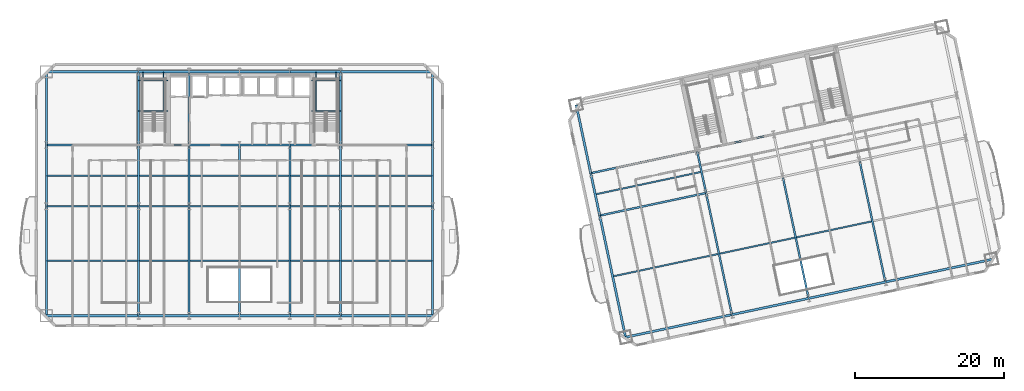
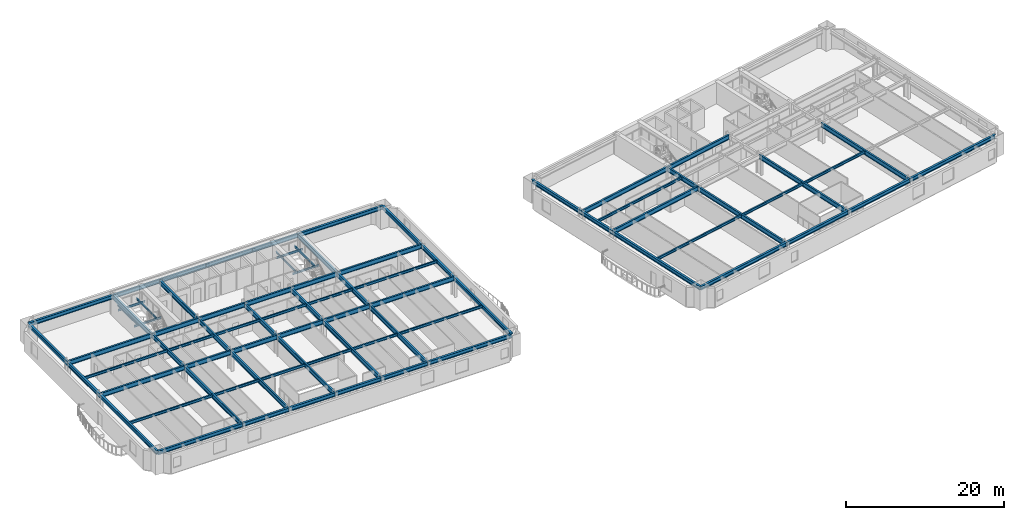
# One storey, part 3 of 17: 81 beams.
"""IFC4 building model written with IfcOpenShell, lengths in metres."""

from ifc_helpers import new_model, si_unit, direction, frame, origin, origin_2d, place, context, subcontext, project, spatial, i_section, extrude, material, material_profile, profile_set, type_object, element, save


model = new_model("IFC4")

# Units and contexts
model_context = context("Model", 3, precision=1e-05, world=origin(), true_north=direction((0.0, 1.0)))
body_context = subcontext(model_context, "Body", "Model", "MODEL_VIEW")
ifc_project = project(units=[si_unit("LENGTHUNIT", "METRE"), si_unit("AREAUNIT", "SQUARE_METRE"), si_unit("VOLUMEUNIT", "CUBIC_METRE"), si_unit("PLANEANGLEUNIT", "RADIAN"), si_unit("MASSUNIT", "GRAM", prefix="KILO")], contexts=[model_context])

# Site, building, storey
site_placement = place(None, origin())
site = spatial("IfcSite", under=ifc_project, at=site_placement, CompositionType="ELEMENT")
building_placement = place(site_placement, origin())
building = spatial("IfcBuilding", under=site, at=building_placement, Name="Haevon Station Towers", CompositionType="ELEMENT")
storey_placement = place(building_placement, frame((0.0, 0.0, 37.199951171875)))
storey = spatial("IfcBuildingStorey", under=building, at=storey_placement, Name="L08", CompositionType="ELEMENT", Elevation=37.199951171875)

# Beams
ifc_material = material(Name="Steel S355", Category="steel")
ifc_material_profile_1 = material_profile(ifc_material, i_section(OverallWidth=0.25, OverallDepth=0.699951171875, WebThickness=0.012939453125, FlangeThickness=0.02392578125, at=origin_2d()), Name="H-700x250x13x24")
ifc_profile_set_1 = profile_set([ifc_material_profile_1], Name="Steel S355")
beam_type_1 = type_object("IfcBeamType", Name="BM-G700", PredefinedType="BEAM", material=ifc_profile_set_1)
beam_1_placement = place(storey_placement, frame((11.64990234375, 30.0, 2.699951171875), z_axis=(1.0, 0.0, 0.0), x_axis=(0.0, 1.0, 0.0)))
element("IfcBeam", 1, at=beam_1_placement, inside=storey, type_object=beam_type_1, Name="BM-T1U-L08-02-01", PredefinedType="BEAM", context=body_context, shape_type="SweptSolid", body=[
    extrude(i_section(OverallWidth=0.25, OverallDepth=0.699951171875, WebThickness=0.012939453125, FlangeThickness=0.02392578125, at=origin_2d()), origin(), (0.0, 0.0, 1.0), 12.35009765625),
])
for number, where, z_axis, x_axis, name in (
    (2, (24.0, 30.0, 2.699951171875), (1.0, 0.0, 0.0), (0.0, 1.0, 0.0), "BM-T1U-L08-02-02"),
    (3, (30.75, 30.0, 2.699951171875), (1.0, 0.0, 0.0), (0.0, 1.0, 0.0), "BM-T1U-L08-02-03"),
    (4, (37.5, 30.0, 2.699951171875), (1.0, 0.0, 0.0), (0.0, 1.0, 0.0), "BM-T1U-L08-02-04"),
    (5, (44.25, 30.0, 2.699951171875), (1.0, 0.0, 0.0), (0.0, 1.0, 0.0), "BM-T1U-L08-02-05"),
):
    element("IfcBeam", number, at=place(storey_placement, frame(where, z_axis=z_axis, x_axis=x_axis)), inside=storey, type_object=beam_type_1, Name=name, PredefinedType="BEAM", context=body_context, shape_type="SweptSolid", body=[
        extrude(i_section(OverallWidth=0.25, OverallDepth=0.699951171875, WebThickness=0.012939453125, FlangeThickness=0.02392578125, at=origin_2d()), origin(), (0.0, 0.0, 1.0), 6.75),
    ])
for number, where, z_axis, x_axis, name in (
    (6, (51.0, 30.0, 2.699951171875), (1.0, 0.0, 0.0), (0.0, 1.0, 0.0), "BM-T1U-L08-02-06"),
    (7, (11.64990234375, 38.199951171875, 2.699951171875), (1.0, 0.0, 0.0), (0.0, 1.0, 0.0), "BM-T1U-L08-03-01"),
):
    element("IfcBeam", number, at=place(storey_placement, frame(where, z_axis=z_axis, x_axis=x_axis)), inside=storey, type_object=beam_type_1, Name=name, PredefinedType="BEAM", context=body_context, shape_type="SweptSolid", body=[
        extrude(i_section(OverallWidth=0.25, OverallDepth=0.699951171875, WebThickness=0.012939453125, FlangeThickness=0.02392578125, at=origin_2d()), origin(), (0.0, 0.0, 1.0), 12.35009765625),
    ])
for number, where, z_axis, x_axis, name in (
    (8, (24.0, 38.199951171875, 2.699951171875), (1.0, 0.0, 0.0), (0.0, 1.0, 0.0), "BM-T1U-L08-03-02"),
    (9, (30.75, 38.199951171875, 2.699951171875), (1.0, 0.0, 0.0), (0.0, 1.0, 0.0), "BM-T1U-L08-03-03"),
    (10, (37.5, 38.199951171875, 2.699951171875), (1.0, 0.0, 0.0), (0.0, 1.0, 0.0), "BM-T1U-L08-03-04"),
    (11, (44.25, 38.199951171875, 2.699951171875), (1.0, 0.0, 0.0), (0.0, 1.0, 0.0), "BM-T1U-L08-03-05"),
):
    element("IfcBeam", number, at=place(storey_placement, frame(where, z_axis=z_axis, x_axis=x_axis)), inside=storey, type_object=beam_type_1, Name=name, PredefinedType="BEAM", context=body_context, shape_type="SweptSolid", body=[
        extrude(i_section(OverallWidth=0.25, OverallDepth=0.699951171875, WebThickness=0.012939453125, FlangeThickness=0.02392578125, at=origin_2d()), origin(), (0.0, 0.0, 1.0), 6.75),
    ])
beam_2_placement = place(storey_placement, frame((51.0, 38.199951171875, 2.699951171875), z_axis=(1.0, 0.0, 0.0), x_axis=(0.0, 1.0, 0.0)))
element("IfcBeam", 12, at=beam_2_placement, inside=storey, type_object=beam_type_1, Name="BM-T1U-L08-03-06", PredefinedType="BEAM", context=body_context, shape_type="SweptSolid", body=[
    extrude(i_section(OverallWidth=0.25, OverallDepth=0.699951171875, WebThickness=0.012939453125, FlangeThickness=0.02392578125, at=origin_2d()), origin(), (0.0, 0.0, 1.0), 12.35009765625),
])
beam_3_placement = place(storey_placement, frame((24.0, 15.35009765625, 2.699951171875), z_axis=(0.0, 1.0, 0.0), x_axis=(-1.0, 0.0, 0.0)))
element("IfcBeam", 13, at=beam_3_placement, inside=storey, type_object=beam_type_1, Name="BM-T1V-L08-02-01", PredefinedType="BEAM", context=body_context, shape_type="SweptSolid", body=[
    extrude(i_section(OverallWidth=0.25, OverallDepth=0.699951171875, WebThickness=0.012939453125, FlangeThickness=0.02392578125, at=origin_2d()), origin(), (0.0, 0.0, 1.0), 14.64990234375),
])
beam_4_placement = place(storey_placement, frame((24.0, 30.0, 2.699951171875), z_axis=(0.0, 1.0, 0.0), x_axis=(-1.0, 0.0, 0.0)))
element("IfcBeam", 14, at=beam_4_placement, inside=storey, type_object=beam_type_1, Name="BM-T1V-L08-02-02", PredefinedType="BEAM", context=body_context, shape_type="SweptSolid", body=[
    extrude(i_section(OverallWidth=0.25, OverallDepth=0.699951171875, WebThickness=0.012939453125, FlangeThickness=0.02392578125, at=origin_2d()), origin(), (0.0, 0.0, 1.0), 8.199951171875),
])
beam_5_placement = place(storey_placement, frame((24.0, 38.199951171875, 2.699951171875), z_axis=(0.0, 1.0, 0.0), x_axis=(-1.0, 0.0, 0.0)))
element("IfcBeam", 15, at=beam_5_placement, inside=storey, type_object=beam_type_1, Name="BM-T1V-L08-02-03", PredefinedType="BEAM", context=body_context, shape_type="SweptSolid", body=[
    extrude(i_section(OverallWidth=0.25, OverallDepth=0.699951171875, WebThickness=0.012939453125, FlangeThickness=0.02392578125, at=origin_2d()), origin(), (0.0, 0.0, 1.0), 9.800048828125),
])
beam_6_placement = place(storey_placement, frame((30.75, 15.35009765625, 2.699951171875), z_axis=(0.0, 1.0, 0.0), x_axis=(-1.0, 0.0, 0.0)))
element("IfcBeam", 16, at=beam_6_placement, inside=storey, type_object=beam_type_1, Name="BM-T1V-L08-03-01", PredefinedType="BEAM", context=body_context, shape_type="SweptSolid", body=[
    extrude(i_section(OverallWidth=0.25, OverallDepth=0.699951171875, WebThickness=0.012939453125, FlangeThickness=0.02392578125, at=origin_2d()), origin(), (0.0, 0.0, 1.0), 14.64990234375),
])
beam_7_placement = place(storey_placement, frame((30.75, 30.0, 2.699951171875), z_axis=(0.0, 1.0, 0.0), x_axis=(-1.0, 0.0, 0.0)))
element("IfcBeam", 17, at=beam_7_placement, inside=storey, type_object=beam_type_1, Name="BM-T1V-L08-03-02", PredefinedType="BEAM", context=body_context, shape_type="SweptSolid", body=[
    extrude(i_section(OverallWidth=0.25, OverallDepth=0.699951171875, WebThickness=0.012939453125, FlangeThickness=0.02392578125, at=origin_2d()), origin(), (0.0, 0.0, 1.0), 8.199951171875),
])
beam_8_placement = place(storey_placement, frame((30.75, 38.199951171875, 2.699951171875), z_axis=(0.0, 1.0, 0.0), x_axis=(-1.0, 0.0, 0.0)))
element("IfcBeam", 18, at=beam_8_placement, inside=storey, type_object=beam_type_1, Name="BM-T1V-L08-03-03", PredefinedType="BEAM", context=body_context, shape_type="SweptSolid", body=[
    extrude(i_section(OverallWidth=0.25, OverallDepth=0.699951171875, WebThickness=0.012939453125, FlangeThickness=0.02392578125, at=origin_2d()), origin(), (0.0, 0.0, 1.0), 9.800048828125),
])
beam_9_placement = place(storey_placement, frame((37.5, 15.35009765625, 2.699951171875), z_axis=(0.0, 1.0, 0.0), x_axis=(-1.0, 0.0, 0.0)))
element("IfcBeam", 19, at=beam_9_placement, inside=storey, type_object=beam_type_1, Name="BM-T1V-L08-04-01", PredefinedType="BEAM", context=body_context, shape_type="SweptSolid", body=[
    extrude(i_section(OverallWidth=0.25, OverallDepth=0.699951171875, WebThickness=0.012939453125, FlangeThickness=0.02392578125, at=origin_2d()), origin(), (0.0, 0.0, 1.0), 14.64990234375),
])
beam_10_placement = place(storey_placement, frame((37.5, 30.0, 2.699951171875), z_axis=(0.0, 1.0, 0.0), x_axis=(-1.0, 0.0, 0.0)))
element("IfcBeam", 20, at=beam_10_placement, inside=storey, type_object=beam_type_1, Name="BM-T1V-L08-04-02", PredefinedType="BEAM", context=body_context, shape_type="SweptSolid", body=[
    extrude(i_section(OverallWidth=0.25, OverallDepth=0.699951171875, WebThickness=0.012939453125, FlangeThickness=0.02392578125, at=origin_2d()), origin(), (0.0, 0.0, 1.0), 8.199951171875),
])
beam_11_placement = place(storey_placement, frame((44.25, 15.35009765625, 2.699951171875), z_axis=(0.0, 1.0, 0.0), x_axis=(-1.0, 0.0, 0.0)))
element("IfcBeam", 21, at=beam_11_placement, inside=storey, type_object=beam_type_1, Name="BM-T1V-L08-05-01", PredefinedType="BEAM", context=body_context, shape_type="SweptSolid", body=[
    extrude(i_section(OverallWidth=0.25, OverallDepth=0.699951171875, WebThickness=0.012939453125, FlangeThickness=0.02392578125, at=origin_2d()), origin(), (0.0, 0.0, 1.0), 14.64990234375),
])
beam_12_placement = place(storey_placement, frame((44.25, 30.0, 2.699951171875), z_axis=(0.0, 1.0, 0.0), x_axis=(-1.0, 0.0, 0.0)))
element("IfcBeam", 22, at=beam_12_placement, inside=storey, type_object=beam_type_1, Name="BM-T1V-L08-05-02", PredefinedType="BEAM", context=body_context, shape_type="SweptSolid", body=[
    extrude(i_section(OverallWidth=0.25, OverallDepth=0.699951171875, WebThickness=0.012939453125, FlangeThickness=0.02392578125, at=origin_2d()), origin(), (0.0, 0.0, 1.0), 8.199951171875),
])
beam_13_placement = place(storey_placement, frame((51.0, 15.35009765625, 2.699951171875), z_axis=(0.0, 1.0, 0.0), x_axis=(-1.0, 0.0, 0.0)))
element("IfcBeam", 23, at=beam_13_placement, inside=storey, type_object=beam_type_1, Name="BM-T1V-L08-06-01", PredefinedType="BEAM", context=body_context, shape_type="SweptSolid", body=[
    extrude(i_section(OverallWidth=0.25, OverallDepth=0.699951171875, WebThickness=0.012939453125, FlangeThickness=0.02392578125, at=origin_2d()), origin(), (0.0, 0.0, 1.0), 14.64990234375),
])
beam_14_placement = place(storey_placement, frame((51.0, 30.0, 2.699951171875), z_axis=(0.0, 1.0, 0.0), x_axis=(-1.0, 0.0, 0.0)))
element("IfcBeam", 24, at=beam_14_placement, inside=storey, type_object=beam_type_1, Name="BM-T1V-L08-06-02", PredefinedType="BEAM", context=body_context, shape_type="SweptSolid", body=[
    extrude(i_section(OverallWidth=0.25, OverallDepth=0.699951171875, WebThickness=0.012939453125, FlangeThickness=0.02392578125, at=origin_2d()), origin(), (0.0, 0.0, 1.0), 8.199951171875),
])
beam_15_placement = place(storey_placement, frame((51.0, 38.199951171875, 2.699951171875), z_axis=(0.0, 1.0, 0.0), x_axis=(-1.0, 0.0, 0.0)))
element("IfcBeam", 25, at=beam_15_placement, inside=storey, type_object=beam_type_1, Name="BM-T1V-L08-06-03", PredefinedType="BEAM", context=body_context, shape_type="SweptSolid", body=[
    extrude(i_section(OverallWidth=0.25, OverallDepth=0.699951171875, WebThickness=0.012939453125, FlangeThickness=0.02392578125, at=origin_2d()), origin(), (0.0, 0.0, 1.0), 9.800048828125),
])
for number, where, z_axis, x_axis, name in (
    (26, (85.72607421875, 28.744140625, 2.699951171875), (0.978150960994, 0.207895881409, 0.0), (-0.207895881409, 0.978150960994, 0.0), "BM-T2U-L08-02-01"),
    (27, (84.520263671875, 34.417236328125, 2.699951171875), (0.978147548738, 0.207911935439, 0.0), (-0.207911935439, 0.978147548738, 0.0), "BM-T2U-L08-03-01"),
):
    element("IfcBeam", number, at=place(storey_placement, frame(where, z_axis=z_axis, x_axis=x_axis)), inside=storey, type_object=beam_type_1, Name=name, PredefinedType="BEAM", context=body_context, shape_type="SweptSolid", body=[
        extrude(i_section(OverallWidth=0.25, OverallDepth=0.699951171875, WebThickness=0.012939453125, FlangeThickness=0.02392578125, at=origin_2d()), origin(), (0.0, 0.0, 1.0), 14.550048828125),
    ])
beam_16_placement = place(storey_placement, frame((98.75244140625, 37.4423828125, 2.699951171875), z_axis=(0.978146794194, 0.207915485254, 0.0), x_axis=(-0.207915485254, 0.978146794194, 0.0)))
element("IfcBeam", 28, at=beam_16_placement, inside=storey, type_object=beam_type_1, Name="BM-T2U-L08-03-02", PredefinedType="BEAM", context=body_context, shape_type="SweptSolid", body=[
    extrude(i_section(OverallWidth=0.25, OverallDepth=0.699951171875, WebThickness=0.012939453125, FlangeThickness=0.02392578125, at=origin_2d()), origin(), (0.0, 0.0, 1.0), 10.5),
])
beam_17_placement = place(storey_placement, frame((103.419921875, 15.48291015625, 2.699951171875), z_axis=(-0.20790856066, 0.978148266064, 0.0), x_axis=(-0.978148266064, -0.20790856066, 0.0)))
element("IfcBeam", 29, at=beam_17_placement, inside=storey, type_object=beam_type_1, Name="BM-T2V-L08-02-01", PredefinedType="BEAM", context=body_context, shape_type="SweptSolid", body=[
    extrude(i_section(OverallWidth=0.25, OverallDepth=0.699951171875, WebThickness=0.012939453125, FlangeThickness=0.02392578125, at=origin_2d()), origin(), (0.0, 0.0, 1.0), 16.64990234375),
])
beam_18_placement = place(storey_placement, frame((99.958251953125, 31.76904296875, 2.699951171875), z_axis=(-0.207896009217, 0.97815093383, 0.0), x_axis=(-0.97815093383, -0.207896009217, 0.0)))
element("IfcBeam", 30, at=beam_18_placement, inside=storey, type_object=beam_type_1, Name="BM-T2V-L08-02-02", PredefinedType="BEAM", context=body_context, shape_type="SweptSolid", body=[
    extrude(i_section(OverallWidth=0.25, OverallDepth=0.699951171875, WebThickness=0.012939453125, FlangeThickness=0.02392578125, at=origin_2d()), origin(), (0.0, 0.0, 1.0), 5.800048828125),
])
for number, where, z_axis, x_axis, name in (
    (31, (113.6904296875, 17.666015625, 2.699951171875), (-0.20790856066, 0.978148266064, 0.0), (-0.978148266064, -0.20790856066, 0.0), "BM-T2V-L08-03-01"),
    (32, (123.961181640625, 19.84912109375, 2.699951171875), (-0.207922589901, 0.978145283999, 0.0), (-0.978145283999, -0.207922589901, 0.0), "BM-T2V-L08-04-01"),
):
    element("IfcBeam", number, at=place(storey_placement, frame(where, z_axis=z_axis, x_axis=x_axis)), inside=storey, type_object=beam_type_1, Name=name, PredefinedType="BEAM", context=body_context, shape_type="SweptSolid", body=[
        extrude(i_section(OverallWidth=0.25, OverallDepth=0.699951171875, WebThickness=0.012939453125, FlangeThickness=0.02392578125, at=origin_2d()), origin(), (0.0, 0.0, 1.0), 16.64990234375),
    ])
ifc_material_profile_2 = material_profile(ifc_material, i_section(OverallWidth=0.199951171875, OverallDepth=0.39990234375, WebThickness=0.008056640625, FlangeThickness=0.012939453125, at=origin_2d()), Name="H-400x200x8x13")
ifc_profile_set_2 = profile_set([ifc_material_profile_2], Name="Steel S355")
beam_type_2 = type_object("IfcBeamType", Name="BM-J400", PredefinedType="JOIST", material=ifc_profile_set_2)
beam_19_placement = place(storey_placement, frame((11.760009765625, 22.675048828125, 2.85009765625), z_axis=(1.0, 0.0, 0.0), x_axis=(0.0, 1.0, 0.0)))
element("IfcBeam", 33, at=beam_19_placement, inside=storey, type_object=beam_type_2, Name="BM-T1J-L08-01-01", PredefinedType="JOIST", context=body_context, shape_type="SweptSolid", body=[
    extrude(i_section(OverallWidth=0.199951171875, OverallDepth=0.39990234375, WebThickness=0.008056640625, FlangeThickness=0.012939453125, at=origin_2d()), origin(), (0.0, 0.0, 1.0), 12.1298828125),
])
for number, where, z_axis, x_axis, name in (
    (34, (24.110107421875, 22.675048828125, 2.85009765625), (1.0, 0.0, 0.0), (0.0, 1.0, 0.0), "BM-T1J-L08-01-02"),
    (35, (30.860107421875, 22.675048828125, 2.85009765625), (1.0, 0.0, 0.0), (0.0, 1.0, 0.0), "BM-T1J-L08-01-03"),
    (36, (37.610107421875, 22.675048828125, 2.85009765625), (1.0, 0.0, 0.0), (0.0, 1.0, 0.0), "BM-T1J-L08-01-04"),
    (37, (44.360107421875, 22.675048828125, 2.85009765625), (1.0, 0.0, 0.0), (0.0, 1.0, 0.0), "BM-T1J-L08-01-05"),
):
    element("IfcBeam", number, at=place(storey_placement, frame(where, z_axis=z_axis, x_axis=x_axis)), inside=storey, type_object=beam_type_2, Name=name, PredefinedType="JOIST", context=body_context, shape_type="SweptSolid", body=[
        extrude(i_section(OverallWidth=0.199951171875, OverallDepth=0.39990234375, WebThickness=0.008056640625, FlangeThickness=0.012939453125, at=origin_2d()), origin(), (0.0, 0.0, 1.0), 6.52978515625),
    ])
for number, where, z_axis, x_axis, name in (
    (38, (51.110107421875, 22.675048828125, 2.85009765625), (1.0, 0.0, 0.0), (0.0, 1.0, 0.0), "BM-T1J-L08-01-06"),
    (39, (11.760009765625, 34.10009765625, 2.85009765625), (1.0, 0.0, 0.0), (0.0, 1.0, 0.0), "BM-T1J-L08-02-01"),
):
    element("IfcBeam", number, at=place(storey_placement, frame(where, z_axis=z_axis, x_axis=x_axis)), inside=storey, type_object=beam_type_2, Name=name, PredefinedType="JOIST", context=body_context, shape_type="SweptSolid", body=[
        extrude(i_section(OverallWidth=0.199951171875, OverallDepth=0.39990234375, WebThickness=0.008056640625, FlangeThickness=0.012939453125, at=origin_2d()), origin(), (0.0, 0.0, 1.0), 12.1298828125),
    ])
for number, where, z_axis, x_axis, name in (
    (40, (24.110107421875, 34.10009765625, 2.85009765625), (1.0, 0.0, 0.0), (0.0, 1.0, 0.0), "BM-T1J-L08-02-02"),
    (41, (30.860107421875, 34.10009765625, 2.85009765625), (1.0, 0.0, 0.0), (0.0, 1.0, 0.0), "BM-T1J-L08-02-03"),
    (42, (37.610107421875, 34.10009765625, 2.85009765625), (1.0, 0.0, 0.0), (0.0, 1.0, 0.0), "BM-T1J-L08-02-04"),
    (43, (44.360107421875, 34.10009765625, 2.85009765625), (1.0, 0.0, 0.0), (0.0, 1.0, 0.0), "BM-T1J-L08-02-05"),
):
    element("IfcBeam", number, at=place(storey_placement, frame(where, z_axis=z_axis, x_axis=x_axis)), inside=storey, type_object=beam_type_2, Name=name, PredefinedType="JOIST", context=body_context, shape_type="SweptSolid", body=[
        extrude(i_section(OverallWidth=0.199951171875, OverallDepth=0.39990234375, WebThickness=0.008056640625, FlangeThickness=0.012939453125, at=origin_2d()), origin(), (0.0, 0.0, 1.0), 6.52978515625),
    ])
beam_20_placement = place(storey_placement, frame((51.110107421875, 34.10009765625, 2.85009765625), z_axis=(1.0, 0.0, 0.0), x_axis=(0.0, 1.0, 0.0)))
element("IfcBeam", 44, at=beam_20_placement, inside=storey, type_object=beam_type_2, Name="BM-T1J-L08-02-06", PredefinedType="JOIST", context=body_context, shape_type="SweptSolid", body=[
    extrude(i_section(OverallWidth=0.199951171875, OverallDepth=0.39990234375, WebThickness=0.008056640625, FlangeThickness=0.012939453125, at=origin_2d()), origin(), (0.0, 0.0, 1.0), 12.1298828125),
])
beam_21_placement = place(storey_placement, frame((87.564697265625, 20.623779296875, 2.85009765625), z_axis=(0.978145902522, 0.207919680114, 0.0), x_axis=(-0.207919680114, 0.978145902522, 0.0)))
element("IfcBeam", 45, at=beam_21_placement, inside=storey, type_object=beam_type_2, Name="BM-T2J-L08-01-01", PredefinedType="JOIST", context=body_context, shape_type="SweptSolid", body=[
    extrude(i_section(OverallWidth=0.199951171875, OverallDepth=0.39990234375, WebThickness=0.008056640625, FlangeThickness=0.012939453125, at=origin_2d()), origin(), (0.0, 0.0, 1.0), 14.330078125),
])
for number, where, z_axis, x_axis, name in (
    (46, (101.796630859375, 23.64892578125, 2.85009765625), (0.978145509903, 0.207921527161, 0.0), (-0.207921527161, 0.978145509903, 0.0), "BM-T2J-L08-01-02"),
    (47, (112.067138671875, 25.83203125, 2.85009765625), (0.978150339653, 0.207898804801, 0.0), (-0.207898804801, 0.978150339653, 0.0), "BM-T2J-L08-01-03"),
):
    element("IfcBeam", number, at=place(storey_placement, frame(where, z_axis=z_axis, x_axis=x_axis)), inside=storey, type_object=beam_type_2, Name=name, PredefinedType="JOIST", context=body_context, shape_type="SweptSolid", body=[
        extrude(i_section(OverallWidth=0.199951171875, OverallDepth=0.39990234375, WebThickness=0.008056640625, FlangeThickness=0.012939453125, at=origin_2d()), origin(), (0.0, 0.0, 1.0), 10.280029296875),
    ])
beam_22_placement = place(storey_placement, frame((85.23095703125, 31.603515625, 2.85009765625), z_axis=(0.978145902522, 0.207919680114, 0.0), x_axis=(-0.207919680114, 0.978145902522, 0.0)))
element("IfcBeam", 48, at=beam_22_placement, inside=storey, type_object=beam_type_2, Name="BM-T2J-L08-02-01", PredefinedType="JOIST", context=body_context, shape_type="SweptSolid", body=[
    extrude(i_section(OverallWidth=0.199951171875, OverallDepth=0.39990234375, WebThickness=0.008056640625, FlangeThickness=0.012939453125, at=origin_2d()), origin(), (0.0, 0.0, 1.0), 14.330078125),
])
ifc_material_profile_3 = material_profile(ifc_material, i_section(OverallWidth=0.14990234375, OverallDepth=0.300048828125, WebThickness=0.006591796875, FlangeThickness=0.009033203125, at=origin_2d()), Name="H-300x150x6.5x9")
ifc_profile_set_3 = profile_set([ifc_material_profile_3], Name="Steel S355")
beam_type_3 = type_object("IfcBeamType", Name="BM-LIN300", PredefinedType="LINTEL", material=ifc_profile_set_3)
for number, where, z_axis, x_axis, name in (
    (49, (24.0, 42.743896484375, 1.300048828125), (1.0, 0.0, 0.0), (0.0, 1.0, 0.0), "BM-ST1L-L08-1-S"),
    (50, (24.0, 46.820068359375, 1.300048828125), (1.0, 0.0, 0.0), (0.0, 1.0, 0.0), "BM-ST1L-L08-1-N"),
):
    element("IfcBeam", number, at=place(storey_placement, frame(where, z_axis=z_axis, x_axis=x_axis)), inside=storey, type_object=beam_type_3, Name=name, PredefinedType="LINTEL", context=body_context, shape_type="SweptSolid", body=[
        extrude(i_section(OverallWidth=0.14990234375, OverallDepth=0.300048828125, WebThickness=0.006591796875, FlangeThickness=0.009033203125, at=origin_2d()), origin(), (0.0, 0.0, 1.0), 3.949951171875),
    ])
for number, where, z_axis, x_axis, name in (
    (51, (24.60009765625, 42.743896484375, 1.300048828125), (0.0, 1.0, 0.0), (-1.0, 0.0, 0.0), "BM-ST1L-L08-1-W"),
    (52, (27.35009765625, 42.743896484375, 1.300048828125), (0.0, 1.0, 0.0), (-1.0, 0.0, 0.0), "BM-ST1L-L08-1-E"),
):
    element("IfcBeam", number, at=place(storey_placement, frame(where, z_axis=z_axis, x_axis=x_axis)), inside=storey, type_object=beam_type_3, Name=name, PredefinedType="LINTEL", context=body_context, shape_type="SweptSolid", body=[
        extrude(i_section(OverallWidth=0.14990234375, OverallDepth=0.300048828125, WebThickness=0.006591796875, FlangeThickness=0.009033203125, at=origin_2d()), origin(), (0.0, 0.0, 1.0), 5.256103515625),
    ])
for number, where, z_axis, x_axis, name in (
    (53, (47.14990234375, 42.743896484375, 1.300048828125), (1.0, 0.0, 0.0), (0.0, 1.0, 0.0), "BM-ST2L-L08-1-S"),
    (54, (47.14990234375, 46.820068359375, 1.300048828125), (1.0, 0.0, 0.0), (0.0, 1.0, 0.0), "BM-ST2L-L08-1-N"),
):
    element("IfcBeam", number, at=place(storey_placement, frame(where, z_axis=z_axis, x_axis=x_axis)), inside=storey, type_object=beam_type_3, Name=name, PredefinedType="LINTEL", context=body_context, shape_type="SweptSolid", body=[
        extrude(i_section(OverallWidth=0.14990234375, OverallDepth=0.300048828125, WebThickness=0.006591796875, FlangeThickness=0.009033203125, at=origin_2d()), origin(), (0.0, 0.0, 1.0), 3.85009765625),
    ])
for number, where, z_axis, x_axis, name in (
    (55, (47.75, 42.743896484375, 1.300048828125), (0.0, 1.0, 0.0), (-1.0, 0.0, 0.0), "BM-ST2L-L08-1-W"),
    (56, (50.39990234375, 42.743896484375, 1.300048828125), (0.0, 1.0, 0.0), (-1.0, 0.0, 0.0), "BM-ST2L-L08-1-E"),
):
    element("IfcBeam", number, at=place(storey_placement, frame(where, z_axis=z_axis, x_axis=x_axis)), inside=storey, type_object=beam_type_3, Name=name, PredefinedType="LINTEL", context=body_context, shape_type="SweptSolid", body=[
        extrude(i_section(OverallWidth=0.14990234375, OverallDepth=0.300048828125, WebThickness=0.006591796875, FlangeThickness=0.009033203125, at=origin_2d()), origin(), (0.0, 0.0, 1.0), 5.256103515625),
    ])
ifc_material_profile_4 = material_profile(ifc_material, i_section(OverallWidth=0.300048828125, OverallDepth=0.587890625, WebThickness=0.011962890625, FlangeThickness=0.02001953125, at=origin_2d()), Name="H-588x300x12x20")
ifc_profile_set_4 = profile_set([ifc_material_profile_4], Name="Steel S355")
beam_type_4 = type_object("IfcBeamType", Name="BM-SP588", PredefinedType="SPANDREL", material=ifc_profile_set_4)
beam_23_placement = place(storey_placement, frame((11.64990234375, 15.35009765625, 2.756103515625), z_axis=(1.0, 0.0, 0.0), x_axis=(0.0, 1.0, 0.0)))
element("IfcBeam", 57, at=beam_23_placement, inside=storey, type_object=beam_type_4, Name="BM-T1U-L08-01-01", PredefinedType="SPANDREL", context=body_context, shape_type="SweptSolid", body=[
    extrude(i_section(OverallWidth=0.300048828125, OverallDepth=0.587890625, WebThickness=0.011962890625, FlangeThickness=0.02001953125, at=origin_2d()), origin(), (0.0, 0.0, 1.0), 12.35009765625),
])
for number, where, z_axis, x_axis, name in (
    (58, (24.0, 15.35009765625, 2.756103515625), (1.0, 0.0, 0.0), (0.0, 1.0, 0.0), "BM-T1U-L08-01-02"),
    (59, (30.75, 15.35009765625, 2.756103515625), (1.0, 0.0, 0.0), (0.0, 1.0, 0.0), "BM-T1U-L08-01-03"),
    (60, (37.5, 15.35009765625, 2.756103515625), (1.0, 0.0, 0.0), (0.0, 1.0, 0.0), "BM-T1U-L08-01-04"),
    (61, (44.25, 15.35009765625, 2.756103515625), (1.0, 0.0, 0.0), (0.0, 1.0, 0.0), "BM-T1U-L08-01-05"),
):
    element("IfcBeam", number, at=place(storey_placement, frame(where, z_axis=z_axis, x_axis=x_axis)), inside=storey, type_object=beam_type_4, Name=name, PredefinedType="SPANDREL", context=body_context, shape_type="SweptSolid", body=[
        extrude(i_section(OverallWidth=0.300048828125, OverallDepth=0.587890625, WebThickness=0.011962890625, FlangeThickness=0.02001953125, at=origin_2d()), origin(), (0.0, 0.0, 1.0), 6.75),
    ])
for number, where, z_axis, x_axis, name in (
    (62, (51.0, 15.35009765625, 2.756103515625), (1.0, 0.0, 0.0), (0.0, 1.0, 0.0), "BM-T1U-L08-01-06"),
    (63, (11.64990234375, 48.0, 2.756103515625), (1.0, 0.0, 0.0), (0.0, 1.0, 0.0), "BM-T1U-L08-04-01"),
):
    element("IfcBeam", number, at=place(storey_placement, frame(where, z_axis=z_axis, x_axis=x_axis)), inside=storey, type_object=beam_type_4, Name=name, PredefinedType="SPANDREL", context=body_context, shape_type="SweptSolid", body=[
        extrude(i_section(OverallWidth=0.300048828125, OverallDepth=0.587890625, WebThickness=0.011962890625, FlangeThickness=0.02001953125, at=origin_2d()), origin(), (0.0, 0.0, 1.0), 12.35009765625),
    ])
for number, where, z_axis, x_axis, name in (
    (64, (24.0, 48.0, 2.756103515625), (1.0, 0.0, 0.0), (0.0, 1.0, 0.0), "BM-T1U-L08-04-02"),
    (65, (30.75, 48.0, 2.756103515625), (1.0, 0.0, 0.0), (0.0, 1.0, 0.0), "BM-T1U-L08-04-03"),
    (66, (37.5, 48.0, 2.756103515625), (1.0, 0.0, 0.0), (0.0, 1.0, 0.0), "BM-T1U-L08-04-04"),
    (67, (44.25, 48.0, 2.756103515625), (1.0, 0.0, 0.0), (0.0, 1.0, 0.0), "BM-T1U-L08-04-05"),
):
    element("IfcBeam", number, at=place(storey_placement, frame(where, z_axis=z_axis, x_axis=x_axis)), inside=storey, type_object=beam_type_4, Name=name, PredefinedType="SPANDREL", context=body_context, shape_type="SweptSolid", body=[
        extrude(i_section(OverallWidth=0.300048828125, OverallDepth=0.587890625, WebThickness=0.011962890625, FlangeThickness=0.02001953125, at=origin_2d()), origin(), (0.0, 0.0, 1.0), 6.75),
    ])
beam_24_placement = place(storey_placement, frame((51.0, 48.0, 2.756103515625), z_axis=(1.0, 0.0, 0.0), x_axis=(0.0, 1.0, 0.0)))
element("IfcBeam", 68, at=beam_24_placement, inside=storey, type_object=beam_type_4, Name="BM-T1U-L08-04-06", PredefinedType="SPANDREL", context=body_context, shape_type="SweptSolid", body=[
    extrude(i_section(OverallWidth=0.300048828125, OverallDepth=0.587890625, WebThickness=0.011962890625, FlangeThickness=0.02001953125, at=origin_2d()), origin(), (0.0, 0.0, 1.0), 12.35009765625),
])
beam_25_placement = place(storey_placement, frame((11.64990234375, 15.35009765625, 2.756103515625), z_axis=(0.0, 1.0, 0.0), x_axis=(-1.0, 0.0, 0.0)))
element("IfcBeam", 69, at=beam_25_placement, inside=storey, type_object=beam_type_4, Name="BM-T1V-L08-01-01", PredefinedType="SPANDREL", context=body_context, shape_type="SweptSolid", body=[
    extrude(i_section(OverallWidth=0.300048828125, OverallDepth=0.587890625, WebThickness=0.011962890625, FlangeThickness=0.02001953125, at=origin_2d()), origin(), (0.0, 0.0, 1.0), 14.64990234375),
])
beam_26_placement = place(storey_placement, frame((11.64990234375, 30.0, 2.756103515625), z_axis=(0.0, 1.0, 0.0), x_axis=(-1.0, 0.0, 0.0)))
element("IfcBeam", 70, at=beam_26_placement, inside=storey, type_object=beam_type_4, Name="BM-T1V-L08-01-02", PredefinedType="SPANDREL", context=body_context, shape_type="SweptSolid", body=[
    extrude(i_section(OverallWidth=0.300048828125, OverallDepth=0.587890625, WebThickness=0.011962890625, FlangeThickness=0.02001953125, at=origin_2d()), origin(), (0.0, 0.0, 1.0), 8.199951171875),
])
beam_27_placement = place(storey_placement, frame((11.64990234375, 38.199951171875, 2.756103515625), z_axis=(0.0, 1.0, 0.0), x_axis=(-1.0, 0.0, 0.0)))
element("IfcBeam", 71, at=beam_27_placement, inside=storey, type_object=beam_type_4, Name="BM-T1V-L08-01-03", PredefinedType="SPANDREL", context=body_context, shape_type="SweptSolid", body=[
    extrude(i_section(OverallWidth=0.300048828125, OverallDepth=0.587890625, WebThickness=0.011962890625, FlangeThickness=0.02001953125, at=origin_2d()), origin(), (0.0, 0.0, 1.0), 9.800048828125),
])
beam_28_placement = place(storey_placement, frame((63.35009765625, 15.35009765625, 2.756103515625), z_axis=(0.0, 1.0, 0.0), x_axis=(-1.0, 0.0, 0.0)))
element("IfcBeam", 72, at=beam_28_placement, inside=storey, type_object=beam_type_4, Name="BM-T1V-L08-07-01", PredefinedType="SPANDREL", context=body_context, shape_type="SweptSolid", body=[
    extrude(i_section(OverallWidth=0.300048828125, OverallDepth=0.587890625, WebThickness=0.011962890625, FlangeThickness=0.02001953125, at=origin_2d()), origin(), (0.0, 0.0, 1.0), 14.64990234375),
])
beam_29_placement = place(storey_placement, frame((63.35009765625, 30.0, 2.756103515625), z_axis=(0.0, 1.0, 0.0), x_axis=(-1.0, 0.0, 0.0)))
element("IfcBeam", 73, at=beam_29_placement, inside=storey, type_object=beam_type_4, Name="BM-T1V-L08-07-02", PredefinedType="SPANDREL", context=body_context, shape_type="SweptSolid", body=[
    extrude(i_section(OverallWidth=0.300048828125, OverallDepth=0.587890625, WebThickness=0.011962890625, FlangeThickness=0.02001953125, at=origin_2d()), origin(), (0.0, 0.0, 1.0), 8.199951171875),
])
beam_30_placement = place(storey_placement, frame((63.35009765625, 38.199951171875, 2.756103515625), z_axis=(0.0, 1.0, 0.0), x_axis=(-1.0, 0.0, 0.0)))
element("IfcBeam", 74, at=beam_30_placement, inside=storey, type_object=beam_type_4, Name="BM-T1V-L08-07-03", PredefinedType="SPANDREL", context=body_context, shape_type="SweptSolid", body=[
    extrude(i_section(OverallWidth=0.300048828125, OverallDepth=0.587890625, WebThickness=0.011962890625, FlangeThickness=0.02001953125, at=origin_2d()), origin(), (0.0, 0.0, 1.0), 9.800048828125),
])
beam_31_placement = place(storey_placement, frame((89.18798828125, 12.457763671875, 2.756103515625), z_axis=(0.978146823396, 0.207915347869, 0.0), x_axis=(-0.207915347869, 0.978146823396, 0.0)))
element("IfcBeam", 75, at=beam_31_placement, inside=storey, type_object=beam_type_4, Name="BM-T2U-L08-01-01", PredefinedType="SPANDREL", context=body_context, shape_type="SweptSolid", body=[
    extrude(i_section(OverallWidth=0.300048828125, OverallDepth=0.587890625, WebThickness=0.011962890625, FlangeThickness=0.02001953125, at=origin_2d()), origin(), (0.0, 0.0, 1.0), 14.5498046875),
])
beam_32_placement = place(storey_placement, frame((103.419921875, 15.48291015625, 2.756103515625), z_axis=(0.978146794194, 0.207915485254, 0.0), x_axis=(-0.207915485254, 0.978146794194, 0.0)))
element("IfcBeam", 76, at=beam_32_placement, inside=storey, type_object=beam_type_4, Name="BM-T2U-L08-01-02", PredefinedType="SPANDREL", context=body_context, shape_type="SweptSolid", body=[
    extrude(i_section(OverallWidth=0.300048828125, OverallDepth=0.587890625, WebThickness=0.011962890625, FlangeThickness=0.02001953125, at=origin_2d()), origin(), (0.0, 0.0, 1.0), 10.5),
])
beam_33_placement = place(storey_placement, frame((113.6904296875, 17.666015625, 2.756103515625), z_axis=(0.978147799298, 0.207910756646, 0.0), x_axis=(-0.207910756646, 0.978147799298, 0.0)))
element("IfcBeam", 77, at=beam_33_placement, inside=storey, type_object=beam_type_4, Name="BM-T2U-L08-01-03", PredefinedType="SPANDREL", context=body_context, shape_type="SweptSolid", body=[
    extrude(i_section(OverallWidth=0.300048828125, OverallDepth=0.587890625, WebThickness=0.011962890625, FlangeThickness=0.02001953125, at=origin_2d()), origin(), (0.0, 0.0, 1.0), 10.500244140625),
])
beam_34_placement = place(storey_placement, frame((123.961181640625, 19.84912109375, 2.756103515625), z_axis=(0.978146823396, 0.207915347869, 0.0), x_axis=(-0.207915347869, 0.978146823396, 0.0)))
element("IfcBeam", 78, at=beam_34_placement, inside=storey, type_object=beam_type_4, Name="BM-T2U-L08-01-04", PredefinedType="SPANDREL", context=body_context, shape_type="SweptSolid", body=[
    extrude(i_section(OverallWidth=0.300048828125, OverallDepth=0.587890625, WebThickness=0.011962890625, FlangeThickness=0.02001953125, at=origin_2d()), origin(), (0.0, 0.0, 1.0), 14.5498046875),
])
beam_35_placement = place(storey_placement, frame((89.18798828125, 12.457763671875, 2.756103515625), z_axis=(-0.207919607786, 0.978145917897, 0.0), x_axis=(-0.978145917897, -0.207919607786, 0.0)))
element("IfcBeam", 79, at=beam_35_placement, inside=storey, type_object=beam_type_4, Name="BM-T2V-L08-01-01", PredefinedType="SPANDREL", context=body_context, shape_type="SweptSolid", body=[
    extrude(i_section(OverallWidth=0.300048828125, OverallDepth=0.587890625, WebThickness=0.011962890625, FlangeThickness=0.02001953125, at=origin_2d()), origin(), (0.0, 0.0, 1.0), 16.650146484375),
])
beam_36_placement = place(storey_placement, frame((85.72607421875, 28.744140625, 2.756103515625), z_axis=(-0.207904569273, 0.978149114438, 0.0), x_axis=(-0.978149114438, -0.207904569273, 0.0)))
element("IfcBeam", 80, at=beam_36_placement, inside=storey, type_object=beam_type_4, Name="BM-T2V-L08-01-02", PredefinedType="SPANDREL", context=body_context, shape_type="SweptSolid", body=[
    extrude(i_section(OverallWidth=0.300048828125, OverallDepth=0.587890625, WebThickness=0.011962890625, FlangeThickness=0.02001953125, at=origin_2d()), origin(), (0.0, 0.0, 1.0), 5.7998046875),
])
beam_37_placement = place(storey_placement, frame((84.520263671875, 34.417236328125, 2.756103515625), z_axis=(-0.207897167074, 0.978150687738, 0.0), x_axis=(-0.978150687738, -0.207897167074, 0.0)))
element("IfcBeam", 81, at=beam_37_placement, inside=storey, type_object=beam_type_4, Name="BM-T2V-L08-01-03", PredefinedType="SPANDREL", context=body_context, shape_type="SweptSolid", body=[
    extrude(i_section(OverallWidth=0.300048828125, OverallDepth=0.587890625, WebThickness=0.011962890625, FlangeThickness=0.02001953125, at=origin_2d()), origin(), (0.0, 0.0, 1.0), 9.35009765625),
])

save(model, "model.ifc")
